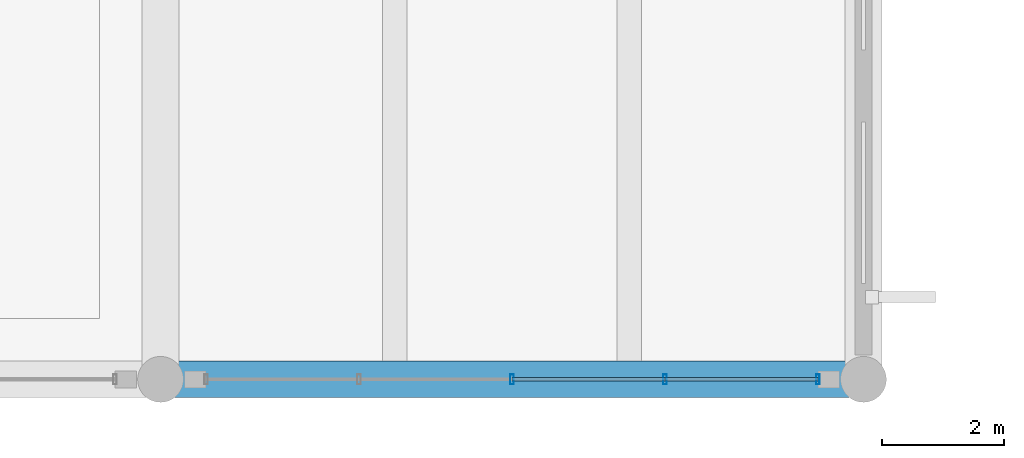
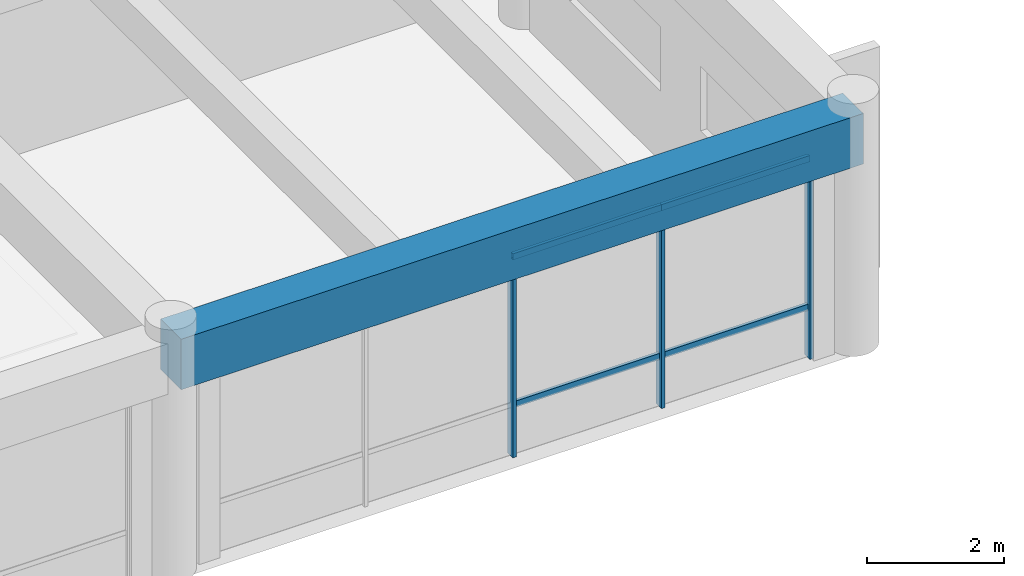
# One storey, part 43 of 154: 7 members, 1 beam, 1 element without a shape of its own.
"""IFC4 building model written with IfcOpenShell, lengths in metres."""

from ifc_helpers import new_model, si_unit, direction, frame, origin, origin_2d, place, context, subcontext, project, spatial, rectangle, hollow_rectangle, extrude, material, material_profile, profile_set, type_object, element, aggregate, save


model = new_model("IFC4")

# Units and contexts
model_context = context("Model", 3, precision=1e-05, world=origin(), true_north=direction((0.0, 1.0)))
body_context = subcontext(model_context, "Body", "Model", "MODEL_VIEW")
ifc_project = project(units=[si_unit("LENGTHUNIT", "METRE"), si_unit("AREAUNIT", "SQUARE_METRE"), si_unit("VOLUMEUNIT", "CUBIC_METRE"), si_unit("PLANEANGLEUNIT", "RADIAN"), si_unit("MASSUNIT", "GRAM", prefix="KILO")], contexts=[model_context])

# Site, building, storey
site_placement = place(None, origin())
site = spatial("IfcSite", under=ifc_project, at=site_placement, CompositionType="ELEMENT")
building_placement = place(site_placement, origin())
building = spatial("IfcBuilding", under=site, at=building_placement, Name="Ologun Quay Terminus", CompositionType="ELEMENT")
storey_placement = place(building_placement, frame((0.0, 0.0, 13.800048828125)))
storey = spatial("IfcBuildingStorey", under=building, at=storey_placement, Name="L03", CompositionType="ELEMENT", Elevation=13.800048828125)

# Curtain wall, members
ifc_material_1 = material(Name="Aluminium 6063-T6", Category="aluminium")
curtain_wall_type = type_object("IfcCurtainWallType", Name="South Pavilion Reading Hall Curtain Wall 10700x4150", PredefinedType="USERDEFINED", material=ifc_material_1)
curtain_wall_placement = place(storey_placement, origin())
curtain_wall = element("IfcCurtainWall", 1, at=curtain_wall_placement, inside=storey, type_object=curtain_wall_type, Name="CW-06 Curtain Wall CW-L03-039", ObjectType="UNITISED CURTAIN WALL", PredefinedType="USERDEFINED")
ifc_material_2 = material(Name="Aluminium 6063-T6", Category="aluminium")
ifc_material_profile_1 = material_profile(ifc_material_2, hollow_rectangle(XDim=0.06005859375, YDim=0.159912109375, WallThickness=0.00390625, at=origin_2d()), Name="ALU 160x60x4")
ifc_profile_set_1 = profile_set([ifc_material_profile_1], Name="Aluminium 6063-T6")
member_type_1 = type_object("IfcMemberType", Name="Curtain Wall Standard Mullion 160x65", PredefinedType="MULLION", material=ifc_profile_set_1)
member_1_placement = place(storey_placement, frame((120.75, 8.0, 0.0), z_axis=(0.0, 0.0, 1.0), x_axis=(1.0, 0.0, 0.0)))
member_1 = element("IfcMember", 2, at=member_1_placement, type_object=member_type_1, Name="CW-L03-039 Mullion 3", PredefinedType="MULLION", context=body_context, shape_type="SweptSolid", body=[
    extrude(hollow_rectangle(XDim=0.06005859375, YDim=0.159912109375, WallThickness=0.00390625, at=origin_2d()), origin(), (0.0, 0.0, 1.0), 4.239990234375),
])
member_2_placement = place(storey_placement, frame((123.25244140625, 8.0, 0.0), z_axis=(0.0, 0.0, 1.0), x_axis=(1.0, 0.0, 0.0)))
member_2 = element("IfcMember", 3, at=member_2_placement, type_object=member_type_1, Name="CW-L03-039 Mullion 4", PredefinedType="MULLION", context=body_context, shape_type="SweptSolid", body=[
    extrude(hollow_rectangle(XDim=0.06005859375, YDim=0.159912109375, WallThickness=0.00390625, at=origin_2d()), origin(), (0.0, 0.0, 1.0), 4.239990234375),
])
member_3_placement = place(storey_placement, frame((125.7548828125, 8.0, 0.0), z_axis=(0.0, 0.0, 1.0), x_axis=(1.0, 0.0, 0.0)))
member_3 = element("IfcMember", 4, at=member_3_placement, type_object=member_type_1, Name="CW-L03-039 Mullion 5", PredefinedType="MULLION", context=body_context, shape_type="SweptSolid", body=[
    extrude(hollow_rectangle(XDim=0.06005859375, YDim=0.159912109375, WallThickness=0.00390625, at=origin_2d()), origin(), (0.0, 0.0, 1.0), 4.239990234375),
])
ifc_material_3 = material(Name="Aluminium 6063-T6", Category="aluminium")
ifc_material_profile_2 = material_profile(ifc_material_3, hollow_rectangle(XDim=0.054931640625, YDim=0.110107421875, WallThickness=0.00390625, at=origin_2d()), Name="ALU 110x55x4")
ifc_profile_set_2 = profile_set([ifc_material_profile_2], Name="Aluminium 6063-T6")
member_type_2 = type_object("IfcMemberType", Name="Curtain Wall Standard Transom 110x55", PredefinedType="USERDEFINED", material=ifc_profile_set_2)
member_4_placement = place(storey_placement, frame((120.75, 8.0, 0.89990234375), z_axis=(1.0, 0.0, 0.0), x_axis=(0.0, 1.0, 0.0)))
member_4 = element("IfcMember", 5, at=member_4_placement, type_object=member_type_2, Name="CW-L03-039 Transom B3-1", ObjectType="TRANSOM", PredefinedType="USERDEFINED", context=body_context, shape_type="SweptSolid", body=[
    extrude(hollow_rectangle(XDim=0.054931640625, YDim=0.110107421875, WallThickness=0.00390625, at=origin_2d()), origin(), (0.0, 0.0, 1.0), 2.50244140625),
])
member_5_placement = place(storey_placement, frame((120.75, 8.0, 3.5400390625), z_axis=(1.0, 0.0, 0.0), x_axis=(0.0, 1.0, 0.0)))
member_5 = element("IfcMember", 6, at=member_5_placement, type_object=member_type_2, Name="CW-L03-039 Transom B3-2", ObjectType="TRANSOM", PredefinedType="USERDEFINED", context=body_context, shape_type="SweptSolid", body=[
    extrude(hollow_rectangle(XDim=0.054931640625, YDim=0.110107421875, WallThickness=0.00390625, at=origin_2d()), origin(), (0.0, 0.0, 1.0), 2.50244140625),
])
member_6_placement = place(storey_placement, frame((123.25244140625, 8.0, 0.89990234375), z_axis=(1.0, 0.0, 0.0), x_axis=(0.0, 1.0, 0.0)))
member_6 = element("IfcMember", 7, at=member_6_placement, type_object=member_type_2, Name="CW-L03-039 Transom B4-1", ObjectType="TRANSOM", PredefinedType="USERDEFINED", context=body_context, shape_type="SweptSolid", body=[
    extrude(hollow_rectangle(XDim=0.054931640625, YDim=0.110107421875, WallThickness=0.00390625, at=origin_2d()), origin(), (0.0, 0.0, 1.0), 2.50244140625),
])
member_7_placement = place(storey_placement, frame((123.25244140625, 8.0, 3.5400390625), z_axis=(1.0, 0.0, 0.0), x_axis=(0.0, 1.0, 0.0)))
member_7 = element("IfcMember", 8, at=member_7_placement, type_object=member_type_2, Name="CW-L03-039 Transom B4-2", ObjectType="TRANSOM", PredefinedType="USERDEFINED", context=body_context, shape_type="SweptSolid", body=[
    extrude(hollow_rectangle(XDim=0.054931640625, YDim=0.110107421875, WallThickness=0.00390625, at=origin_2d()), origin(), (0.0, 0.0, 1.0), 2.50244140625),
])
aggregate(curtain_wall, [member_1, member_2, member_3, member_4, member_5, member_6, member_7])

# Beam
ifc_material_4 = material(Name="Concrete C40/50", Category="concrete")
ifc_material_profile_3 = material_profile(ifc_material_4, rectangle(XDim=0.60009765625, YDim=0.89990234375, at=origin_2d()), Name="RC 600x900")
ifc_profile_set_3 = profile_set([ifc_material_profile_3], Name="Concrete C40/50")
beam_type = type_object("IfcBeamType", Name="Station Frame Girder 600x900", PredefinedType="BEAM", material=ifc_profile_set_3)
beam_placement = place(storey_placement, frame((115.0, 8.0, 3.800048828125), z_axis=(1.0, 0.0, 0.0), x_axis=(0.0, 1.0, 0.0)))
element("IfcBeam", 9, at=beam_placement, inside=storey, type_object=beam_type, Name="B3 Beam 11/B L03", PredefinedType="BEAM", context=body_context, shape_type="SweptSolid", body=[
    extrude(rectangle(XDim=0.60009765625, YDim=0.89990234375, at=origin_2d()), origin(), (0.0, 0.0, 1.0), 11.5),
])

save(model, "model.ifc")
